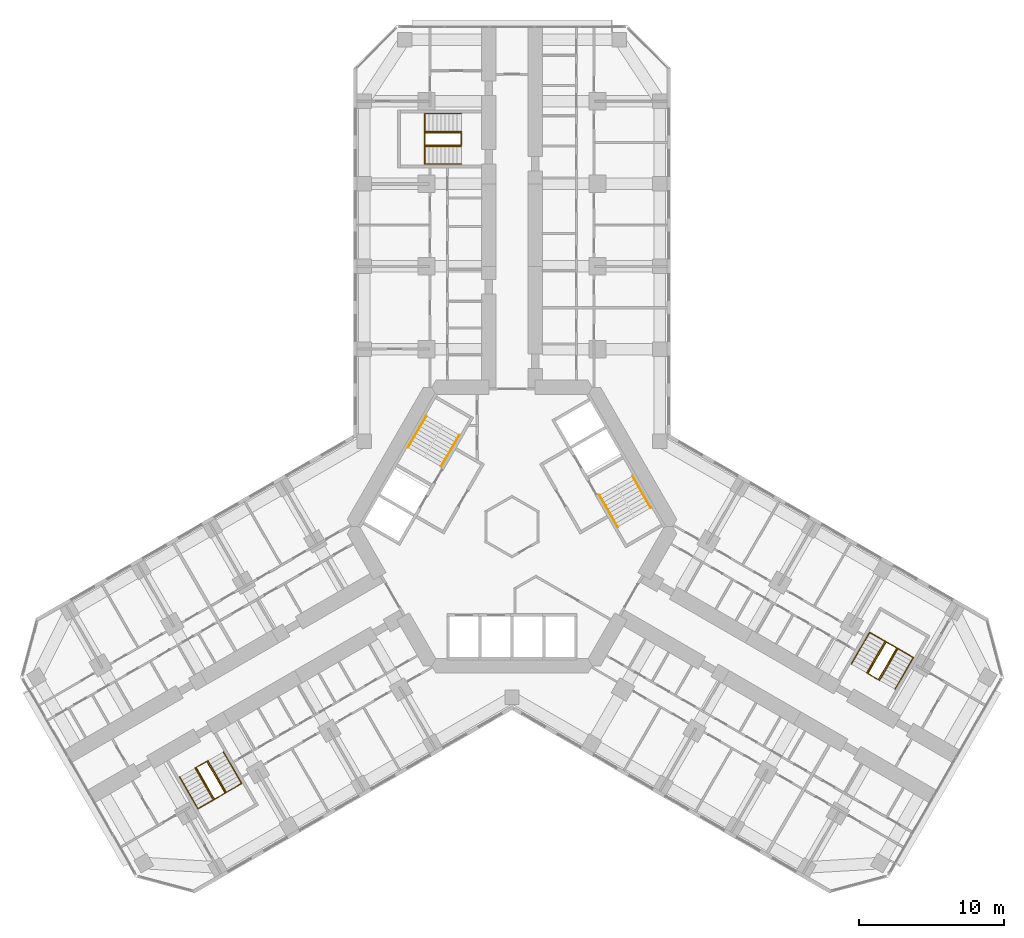
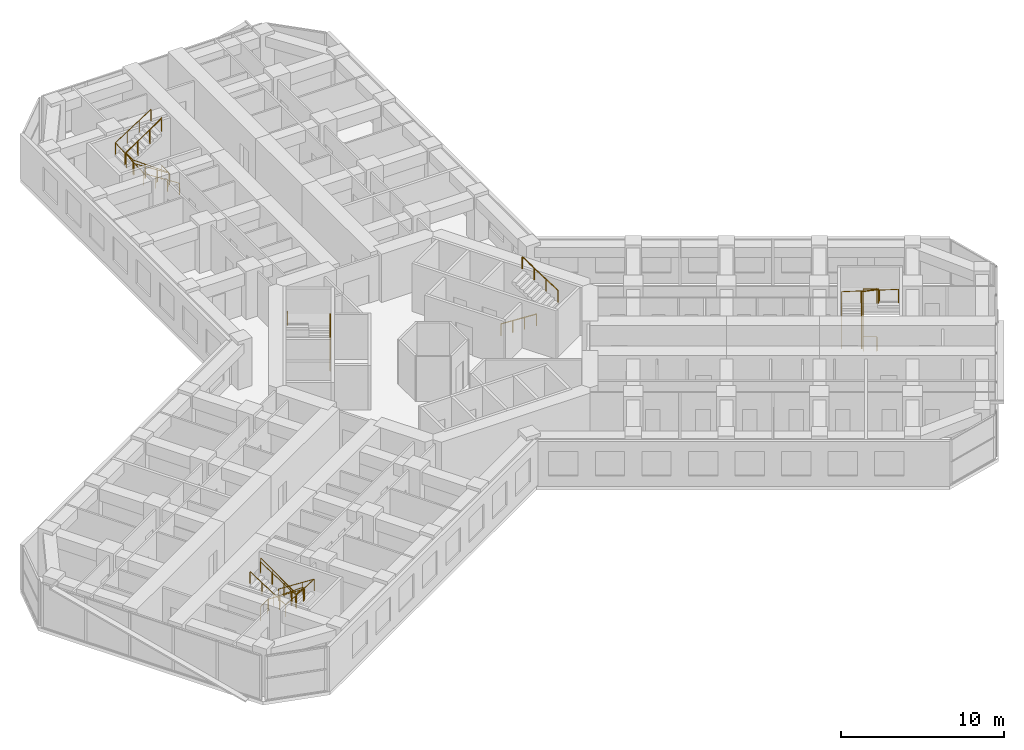
# One storey, part 21 of 21: 13 railings.
"""IFC4 building model written with IfcOpenShell, lengths in metres."""

import ifcopenshell
import ifcopenshell.guid

model = None  # the IFC model being written
_history = None  # IfcOwnerHistory: only IFC2X3 demands one
_inside = {}  # id of a spatial element -> (the spatial element, [elements in it])
_under = {}  # id of a project, library or spatial element -> (it, [spatial elements below it])
_declared = {}  # id of a project -> (the project, [libraries it declares])
_typed = {}  # id of a type object -> (the type object, [elements of that type])
_made_of = {}  # id of a material, layer set ... -> (it, [elements and type objects made of it])


def new_model(schema):
    """Start an empty IFC model of exactly this schema.

    Asked for "IFC4X3", IfcOpenShell would pick the latest addendum, in which some entities
    have other attributes; the version numbers below select the first issue.
    IFC2X3 requires an IfcOwnerHistory on every rooted entity: one is made here for all.
    """
    global model, _history
    if schema == "IFC4X3":
        model = ifcopenshell.file(schema_version=(4, 3, 0, 0))
    else:
        model = ifcopenshell.file(schema=schema)
    _inside.clear()
    _under.clear()
    _declared.clear()
    _typed.clear()
    _made_of.clear()
    _history = None
    if model.schema == "IFC2X3":
        org = make("IfcOrganization", Name="unknown")
        user = make(
            "IfcPersonAndOrganization",
            ThePerson=make("IfcPerson", FamilyName="unknown"),
            TheOrganization=org,
        )
        app = make(
            "IfcApplication",
            ApplicationDeveloper=org,
            Version="unknown",
            ApplicationFullName="unknown",
            ApplicationIdentifier="unknown",
        )
        _history = make(
            "IfcOwnerHistory",
            OwningUser=user,
            OwningApplication=app,
            ChangeAction="ADDED",
            CreationDate=0,
        )
    return model


def make(cls, **values):
    """One entity of the class cls with the attributes given. An attribute that is None is left unset."""
    return model.create_entity(
        cls, **{name: value for name, value in values.items() if value is not None}
    )


def rooted(cls, **values):
    """An entity with a GlobalId (a new one), such as an element, a storey or a relation."""
    return make(cls, GlobalId=ifcopenshell.guid.new(), OwnerHistory=_history, **values)


def si_unit(unit_type, name, prefix=None):
    """IfcSIUnit, for example si_unit("LENGTHUNIT", "METRE", prefix="MILLI")."""
    return make("IfcSIUnit", UnitType=unit_type, Prefix=prefix, Name=name)


def assignment(units):
    """IfcUnitAssignment: the units of a project."""
    return None if units is None else make("IfcUnitAssignment", Units=units)


def point(xyz):
    """IfcCartesianPoint."""
    return None if xyz is None else make("IfcCartesianPoint", Coordinates=xyz)


def direction(xyz):
    """IfcDirection."""
    return None if xyz is None else make("IfcDirection", DirectionRatios=xyz)


def frame(location, z_axis=None, x_axis=None):
    """IfcAxis2Placement3D, a coordinate frame: its origin and axes. An axis left out is left unset."""
    return make(
        "IfcAxis2Placement3D",
        Location=point(location),
        Axis=direction(z_axis),
        RefDirection=direction(x_axis),
    )


def frame_2d(location, x_axis=None):
    """IfcAxis2Placement2D, a coordinate frame in the plane: its origin and x axis."""
    return make(
        "IfcAxis2Placement2D", Location=point(location), RefDirection=direction(x_axis)
    )


def origin():
    """The frame at (0, 0, 0) with its axes left unset."""
    return frame((0.0, 0.0, 0.0))


def origin_2d():
    """The frame at (0, 0) in the plane with its x axis left unset."""
    return frame_2d((0.0, 0.0))


def place(relative_to, where):
    """IfcLocalPlacement: puts the frame where relative to a parent placement (None: the world)."""
    return make(
        "IfcLocalPlacement", PlacementRelTo=relative_to, RelativePlacement=where
    )


def context(
    kind, dimensions, precision=None, world=None, true_north=None, identifier=None
):
    """IfcGeometricRepresentationContext, for example the 3D "Model" context."""
    return make(
        "IfcGeometricRepresentationContext",
        ContextIdentifier=identifier,
        ContextType=kind,
        CoordinateSpaceDimension=dimensions,
        Precision=precision,
        WorldCoordinateSystem=world,
        TrueNorth=true_north,
    )


def subcontext(parent, identifier, kind, view, scale=None):
    """IfcGeometricRepresentationSubContext, for example "Body" below "Model"."""
    return make(
        "IfcGeometricRepresentationSubContext",
        ContextIdentifier=identifier,
        ContextType=kind,
        ParentContext=parent,
        TargetScale=scale,
        TargetView=view,
    )


def project(units=None, contexts=None):
    """IfcProject with its units and contexts."""
    return rooted(
        "IfcProject",
        Name="project",
        RepresentationContexts=contexts,
        UnitsInContext=assignment(units),
    )


def spatial(cls, under=None, at=None, **own):
    """A site, building, storey or space (cls), placed at a placement, below another one or the project."""
    s = rooted(cls, ObjectPlacement=at, **own)
    if under is not None:
        _under.setdefault(under.id(), (under, []))[1].append(s)
    return s


def profile(cls, at=None, kind="AREA", **sizes):
    """A parametric profile (cls). Its sizes go by their IFC names, for example OverallWidth=200.0."""
    return make(cls, ProfileType=kind, Position=at, **sizes)


def circle(**sizes):
    """IfcCircleProfileDef."""
    return profile("IfcCircleProfileDef", **sizes)


def extrude(swept, where, along, depth):
    """IfcExtrudedAreaSolid: the profile swept, set in the frame where, extruded along a direction by depth."""
    return make(
        "IfcExtrudedAreaSolid",
        SweptArea=swept,
        Position=where,
        ExtrudedDirection=direction(along),
        Depth=depth,
    )


def shape(context_of_items, identifier, shape_type, items):
    """IfcShapeRepresentation: the items that make up one representation, for example the "Body"."""
    return make(
        "IfcShapeRepresentation",
        ContextOfItems=context_of_items,
        RepresentationIdentifier=identifier,
        RepresentationType=shape_type,
        Items=items,
    )


def material(Name=None, Category=None):
    """IfcMaterial."""
    return make("IfcMaterial", Name=Name, Category=Category)


def made_of(thing, what):
    """Note that an element or type object is made of a material, layer set ...; save() writes the relation."""
    if what is not None:
        _made_of.setdefault(what.id(), (what, []))[1].append(thing)
    return thing


def type_object(cls, material=None, **own):
    """A type object (cls), such as IfcWallType, which elements share."""
    return made_of(rooted(cls, **own), material)


def element(
    cls,
    number,
    at=None,
    inside=None,
    cuts=None,
    type_object=None,
    material=None,
    context=None,
    identifier="Body",
    shape_type=None,
    held_by="IfcProductDefinitionShape",
    body=None,
    shapes=None,
    **own,
):
    """One element of the class cls, such as IfcWall. Its Tag is "e" and its number.

    at: its placement. inside: the storey or other place that contains it. cuts: it is an
    opening in that element (IfcRelVoidsElement). A single representation is given by context,
    identifier, shape_type and body (its items); several are given by shapes. held_by: the class
    of the entity that holds the representations. save() writes the other relations.
    """
    e = rooted(cls, Tag="e%d" % number, ObjectPlacement=at, **own)
    if body is not None:
        shapes = [shape(context, identifier, shape_type, body)]
    if shapes is not None:
        e.Representation = make(held_by, Representations=shapes)
    if inside is not None:
        _inside.setdefault(inside.id(), (inside, []))[1].append(e)
    if cuts is not None:
        rooted(
            "IfcRelVoidsElement", RelatingBuildingElement=cuts, RelatedOpeningElement=e
        )
    if type_object is not None:
        _typed.setdefault(type_object.id(), (type_object, []))[1].append(e)
    return made_of(e, material)


def aggregate(whole, parts):
    """IfcRelAggregates: a whole, such as a stair, and the parts it consists of."""
    return rooted("IfcRelAggregates", RelatingObject=whole, RelatedObjects=parts)


def save(model, path):
    """Write the relations noted so far, then the file.

    IfcRelAggregates (storeys below a building ...), IfcRelContainedInSpatialStructure (elements
    in a storey), IfcRelDefinesByType, IfcRelAssociatesMaterial and IfcRelDeclares: one each for
    every whole, place, type object, material and project.
    """
    for whole, parts in _under.values():
        aggregate(whole, parts)
    for where, things in _inside.values():
        rooted(
            "IfcRelContainedInSpatialStructure",
            RelatedElements=things,
            RelatingStructure=where,
        )
    for kind, things in _typed.values():
        rooted("IfcRelDefinesByType", RelatedObjects=things, RelatingType=kind)
    for what, things in _made_of.values():
        rooted("IfcRelAssociatesMaterial", RelatedObjects=things, RelatingMaterial=what)
    for by, libraries in _declared.values():
        rooted("IfcRelDeclares", RelatingContext=by, RelatedDefinitions=libraries)
    model.write(path)


model = new_model("IFC4")

# Units and contexts
model_context = context("Model", 3, precision=1e-05, world=origin(), true_north=direction((0.0, 1.0)))
body_context = subcontext(model_context, "Body", "Model", "MODEL_VIEW")
ifc_project = project(units=[si_unit("LENGTHUNIT", "METRE"), si_unit("AREAUNIT", "SQUARE_METRE"), si_unit("VOLUMEUNIT", "CUBIC_METRE"), si_unit("PLANEANGLEUNIT", "RADIAN"), si_unit("MASSUNIT", "GRAM", prefix="KILO")], contexts=[model_context])

# Site, building, storey
site_placement = place(None, origin())
site = spatial("IfcSite", under=ifc_project, at=site_placement, CompositionType="ELEMENT")
building_placement = place(site_placement, origin())
building = spatial("IfcBuilding", under=site, at=building_placement, Name="Kosmar Iwan School Tower", CompositionType="ELEMENT")
storey_placement = place(building_placement, frame((0.0, 0.0, 64.60009765625)))
storey = spatial("IfcBuildingStorey", under=building, at=storey_placement, Name="L15", CompositionType="ELEMENT", Elevation=64.60009765625)

# Railings
ifc_material_1 = material(Name="Black steel", Category="steel")
railing_type_1 = type_object("IfcRailingType", Name="Stair handrail 900", PredefinedType="HANDRAIL", material=ifc_material_1)
railing_1_placement = place(storey_placement, frame((-4.89453125, 4.142333984375, 0.179931640625)))
element("IfcRailing", 1, at=railing_1_placement, inside=storey, type_object=railing_type_1, Name="Handrail ST2 flight 1", PredefinedType="HANDRAIL", context=body_context, shape_type="SweptSolid", body=[
    extrude(circle(Radius=0.02392578125, at=origin_2d()), frame((0.0, 0.0, 0.8759765625), z_axis=(0.42060268101, 0.72849590497, 0.54072830624), x_axis=(-0.866022637375, 0.500004791531, 0.0)), (0.0, 0.0, 1.0), 2.99560546875),
    extrude(circle(Radius=0.02099609375, at=origin_2d()), origin(), (0.0, 0.0, 1.0), 0.851806640625),
    extrude(circle(Radius=0.02099609375, at=origin_2d()), frame((0.419921875, 0.7275390625, 0.5400390625)), (0.0, 0.0, 1.0), 0.851806640625),
    extrude(circle(Radius=0.02099609375, at=origin_2d()), frame((0.840087890625, 1.454833984375, 1.079833984375)), (0.0, 0.0, 1.0), 0.851806640625),
    extrude(circle(Radius=0.02099609375, at=origin_2d()), frame((1.260009765625, 2.182373046875, 1.619873046875)), (0.0, 0.0, 1.0), 0.851806640625),
])
railing_2_placement = place(storey_placement, frame((-5.912353515625, 7.6396484375, 1.97998046875)))
element("IfcRailing", 2, at=railing_2_placement, inside=storey, type_object=railing_type_1, Name="Handrail ST2 flight 2", PredefinedType="HANDRAIL", context=body_context, shape_type="SweptSolid", body=[
    extrude(circle(Radius=0.02392578125, at=origin_2d()), frame((0.0, 0.0, 0.8759765625), z_axis=(-0.42060268101, -0.72849590497, 0.54072830624), x_axis=(0.866022637375, -0.500004791531, 0.0)), (0.0, 0.0, 1.0), 2.99560546875),
    extrude(circle(Radius=0.02099609375, at=origin_2d()), origin(), (0.0, 0.0, 1.0), 0.851806640625),
    extrude(circle(Radius=0.02099609375, at=origin_2d()), frame((-0.419921875, -0.7275390625, 0.5400390625)), (0.0, 0.0, 1.0), 0.851806640625),
    extrude(circle(Radius=0.02099609375, at=origin_2d()), frame((-0.840087890625, -1.454833984375, 1.079833984375)), (0.0, 0.0, 1.0), 0.851806640625),
    extrude(circle(Radius=0.02099609375, at=origin_2d()), frame((-1.260009765625, -2.182373046875, 1.619873046875)), (0.0, 0.0, 1.0), 0.851806640625),
])
railing_3_placement = place(storey_placement, frame((6.03466796875, 2.167724609375, 0.179931640625)))
element("IfcRailing", 3, at=railing_3_placement, inside=storey, type_object=railing_type_1, Name="Handrail ST1 flight 1", PredefinedType="HANDRAIL", context=body_context, shape_type="SweptSolid", body=[
    extrude(circle(Radius=0.02392578125, at=origin_2d()), frame((0.0, 0.0, 0.8759765625), z_axis=(0.42060268101, -0.72849590497, 0.54072830624), x_axis=(0.866022637375, 0.500004791531, 0.0)), (0.0, 0.0, 1.0), 2.99560546875),
    extrude(circle(Radius=0.02099609375, at=origin_2d()), origin(), (0.0, 0.0, 1.0), 0.851806640625),
    extrude(circle(Radius=0.02099609375, at=origin_2d()), frame((0.419921875, -0.7275390625, 0.5400390625)), (0.0, 0.0, 1.0), 0.851806640625),
    extrude(circle(Radius=0.02099609375, at=origin_2d()), frame((0.840087890625, -1.454833984375, 1.079833984375)), (0.0, 0.0, 1.0), 0.851806640625),
    extrude(circle(Radius=0.02099609375, at=origin_2d()), frame((1.260009765625, -2.182373046875, 1.619873046875)), (0.0, 0.0, 1.0), 0.851806640625),
])
railing_4_placement = place(storey_placement, frame((9.572265625, 1.30029296875, 1.97998046875)))
element("IfcRailing", 4, at=railing_4_placement, inside=storey, type_object=railing_type_1, Name="Handrail ST1 flight 2", PredefinedType="HANDRAIL", context=body_context, shape_type="SweptSolid", body=[
    extrude(circle(Radius=0.02392578125, at=origin_2d()), frame((0.0, 0.0, 0.8759765625), z_axis=(-0.42060268101, 0.72849590497, 0.54072830624), x_axis=(-0.866022637375, -0.500004791531, 0.0)), (0.0, 0.0, 1.0), 2.99560546875),
    extrude(circle(Radius=0.02099609375, at=origin_2d()), origin(), (0.0, 0.0, 1.0), 0.851806640625),
    extrude(circle(Radius=0.02099609375, at=origin_2d()), frame((-0.419921875, 0.7275390625, 0.5400390625)), (0.0, 0.0, 1.0), 0.851806640625),
    extrude(circle(Radius=0.02099609375, at=origin_2d()), frame((-0.840087890625, 1.454833984375, 1.079833984375)), (0.0, 0.0, 1.0), 0.851806640625),
    extrude(circle(Radius=0.02099609375, at=origin_2d()), frame((-1.260009765625, 2.182373046875, 1.619873046875)), (0.0, 0.0, 1.0), 0.851806640625),
])
railing_5_placement = place(storey_placement, frame((-3.5, 25.010009765625, 0.179931640625)))
element("IfcRailing", 5, at=railing_5_placement, inside=storey, type_object=railing_type_1, Name="Handrail stair WS1 L15 wall side", PredefinedType="HANDRAIL", context=body_context, shape_type="SweptSolid", body=[
    extrude(circle(Radius=0.02392578125, at=origin_2d()), frame((0.0, 0.0, 0.8759765625), z_axis=(-0.841199657755, 0.0, 0.540724639528), x_axis=(0.0, -1.0, 0.0)), (0.0, 0.0, 1.0), 2.995849609375),
    extrude(circle(Radius=0.02392578125, at=origin_2d()), frame((-2.52001953125, 0.0, 2.49560546875), z_axis=(0.0, 0.998662366465, 0.051705684471), x_axis=(-1.0, 0.0, 0.0)), (0.0, 0.0, 1.0), 3.484619140625),
    extrude(circle(Radius=0.02392578125, at=origin_2d()), frame((-2.52001953125, 3.47998046875, 2.67578125), z_axis=(0.841199657755, 0.0, 0.540724639528), x_axis=(0.0, 1.0, 0.0)), (0.0, 0.0, 1.0), 2.995849609375),
    extrude(circle(Radius=0.02099609375, at=origin_2d()), origin(), (0.0, 0.0, 1.0), 0.851806640625),
    extrude(circle(Radius=0.02099609375, at=origin_2d()), frame((-0.840087890625, 0.0, 0.5400390625)), (0.0, 0.0, 1.0), 0.851806640625),
    extrude(circle(Radius=0.02099609375, at=origin_2d()), frame((-1.679931640625, 0.0, 1.079833984375)), (0.0, 0.0, 1.0), 0.851806640625),
    extrude(circle(Radius=0.02099609375, at=origin_2d()), frame((-2.52001953125, 0.0, 1.619873046875)), (0.0, 0.0, 1.0), 0.851806640625),
    extrude(circle(Radius=0.02099609375, at=origin_2d()), frame((-2.52001953125, 1.159912109375, 1.679931640625)), (0.0, 0.0, 1.0), 0.851806640625),
    extrude(circle(Radius=0.02099609375, at=origin_2d()), frame((-2.52001953125, 2.320068359375, 1.739990234375)), (0.0, 0.0, 1.0), 0.851806640625),
    extrude(circle(Radius=0.02099609375, at=origin_2d()), frame((-2.52001953125, 3.47998046875, 1.800048828125)), (0.0, 0.0, 1.0), 0.851806640625),
    extrude(circle(Radius=0.02099609375, at=origin_2d()), frame((-1.679931640625, 3.47998046875, 2.340087890625)), (0.0, 0.0, 1.0), 0.851806640625),
    extrude(circle(Radius=0.02099609375, at=origin_2d()), frame((-0.840087890625, 3.47998046875, 2.8798828125)), (0.0, 0.0, 1.0), 0.851806640625),
    extrude(circle(Radius=0.02099609375, at=origin_2d()), frame((0.0, 3.47998046875, 3.419921875)), (0.0, 0.0, 1.0), 0.851806640625),
])
railing_6_placement = place(storey_placement, frame((-3.5, 26.239990234375, 0.179931640625)))
element("IfcRailing", 6, at=railing_6_placement, inside=storey, type_object=railing_type_1, Name="Handrail stair WS1 L15 well side", PredefinedType="HANDRAIL", context=body_context, shape_type="SweptSolid", body=[
    extrude(circle(Radius=0.02392578125, at=origin_2d()), frame((0.0, 0.0, 0.8759765625), z_axis=(-0.841199657755, 0.0, 0.540724639528), x_axis=(0.0, -1.0, 0.0)), (0.0, 0.0, 1.0), 2.995849609375),
    extrude(circle(Radius=0.02392578125, at=origin_2d()), frame((-2.52001953125, 0.0, 2.49560546875), z_axis=(0.0, 0.98475507176, 0.173946683332), x_axis=(-1.0, 0.0, 0.0)), (0.0, 0.0, 1.0), 1.035888671875),
    extrude(circle(Radius=0.02392578125, at=origin_2d()), frame((-2.52001953125, 1.02001953125, 2.67578125), z_axis=(0.841199657755, 0.0, 0.540724639528), x_axis=(0.0, 1.0, 0.0)), (0.0, 0.0, 1.0), 2.995849609375),
    extrude(circle(Radius=0.02099609375, at=origin_2d()), origin(), (0.0, 0.0, 1.0), 0.851806640625),
    extrude(circle(Radius=0.02099609375, at=origin_2d()), frame((-0.840087890625, 0.0, 0.5400390625)), (0.0, 0.0, 1.0), 0.851806640625),
    extrude(circle(Radius=0.02099609375, at=origin_2d()), frame((-1.679931640625, 0.0, 1.079833984375)), (0.0, 0.0, 1.0), 0.851806640625),
    extrude(circle(Radius=0.02099609375, at=origin_2d()), frame((-2.52001953125, 0.0, 1.619873046875)), (0.0, 0.0, 1.0), 0.851806640625),
    extrude(circle(Radius=0.02099609375, at=origin_2d()), frame((-2.52001953125, 1.02001953125, 1.800048828125)), (0.0, 0.0, 1.0), 0.851806640625),
    extrude(circle(Radius=0.02099609375, at=origin_2d()), frame((-1.679931640625, 1.02001953125, 2.340087890625)), (0.0, 0.0, 1.0), 0.851806640625),
    extrude(circle(Radius=0.02099609375, at=origin_2d()), frame((-0.840087890625, 1.02001953125, 2.8798828125)), (0.0, 0.0, 1.0), 0.851806640625),
    extrude(circle(Radius=0.02099609375, at=origin_2d()), frame((0.0, 1.02001953125, 3.419921875)), (0.0, 0.0, 1.0), 0.851806640625),
])
railing_7_placement = place(storey_placement, frame((-19.9091796875, -15.5361328125, 0.179931640625)))
element("IfcRailing", 7, at=railing_7_placement, inside=storey, type_object=railing_type_1, Name="Handrail stair WS2 L15 wall side", PredefinedType="HANDRAIL", context=body_context, shape_type="SweptSolid", body=[
    extrude(circle(Radius=0.02392578125, at=origin_2d()), frame((0.0, 0.0, 0.8759765625), z_axis=(0.420535598452, -0.728520874915, 0.540746840257), x_axis=(0.866064587494, 0.499932125682, 0.0)), (0.0, 0.0, 1.0), 2.99560546875),
    extrude(circle(Radius=0.02392578125, at=origin_2d()), frame((1.259765625, -2.182373046875, 2.49560546875), z_axis=(-0.864861221286, -0.499341050235, 0.051706706198), x_axis=(0.500009906705, -0.86601968407, 0.0)), (0.0, 0.0, 1.0), 3.484619140625),
    extrude(circle(Radius=0.02392578125, at=origin_2d()), frame((-1.75390625, -3.92236328125, 2.67578125), z_axis=(-0.42060268101, 0.72849590497, 0.54072830624), x_axis=(-0.866022637375, -0.500004791531, 0.0)), (0.0, 0.0, 1.0), 2.99560546875),
    extrude(circle(Radius=0.02099609375, at=origin_2d()), origin(), (0.0, 0.0, 1.0), 0.851806640625),
    extrude(circle(Radius=0.02099609375, at=origin_2d()), frame((0.419921875, -0.7275390625, 0.5400390625)), (0.0, 0.0, 1.0), 0.851806640625),
    extrude(circle(Radius=0.02099609375, at=origin_2d()), frame((0.83984375, -1.454833984375, 1.079833984375)), (0.0, 0.0, 1.0), 0.851806640625),
    extrude(circle(Radius=0.02099609375, at=origin_2d()), frame((1.259765625, -2.182373046875, 1.619873046875)), (0.0, 0.0, 1.0), 0.851806640625),
    extrude(circle(Radius=0.02099609375, at=origin_2d()), frame((0.255126953125, -2.762451171875, 1.679931640625)), (0.0, 0.0, 1.0), 0.851806640625),
    extrude(circle(Radius=0.02099609375, at=origin_2d()), frame((-0.749267578125, -3.34228515625, 1.739990234375)), (0.0, 0.0, 1.0), 0.851806640625),
    extrude(circle(Radius=0.02099609375, at=origin_2d()), frame((-1.75390625, -3.92236328125, 1.800048828125)), (0.0, 0.0, 1.0), 0.851806640625),
    extrude(circle(Radius=0.02099609375, at=origin_2d()), frame((-2.173828125, -3.19482421875, 2.340087890625)), (0.0, 0.0, 1.0), 0.851806640625),
    extrude(circle(Radius=0.02099609375, at=origin_2d()), frame((-2.593994140625, -2.467529296875, 2.8798828125)), (0.0, 0.0, 1.0), 0.851806640625),
    extrude(circle(Radius=0.02099609375, at=origin_2d()), frame((-3.013916015625, -1.739990234375, 3.419921875)), (0.0, 0.0, 1.0), 0.851806640625),
])
railing_8_placement = place(storey_placement, frame((-20.974609375, -16.151123046875, 0.179931640625)))
element("IfcRailing", 8, at=railing_8_placement, inside=storey, type_object=railing_type_1, Name="Handrail stair WS2 L15 well side", PredefinedType="HANDRAIL", context=body_context, shape_type="SweptSolid", body=[
    extrude(circle(Radius=0.02392578125, at=origin_2d()), frame((0.0, 0.0, 0.8759765625), z_axis=(0.42060268101, -0.72849590497, 0.54072830624), x_axis=(0.866022637375, 0.500004791531, 0.0)), (0.0, 0.0, 1.0), 2.99560546875),
    extrude(circle(Radius=0.02392578125, at=origin_2d()), frame((1.260009765625, -2.182373046875, 2.49560546875), z_axis=(-0.852806573049, -0.492402689635, 0.173955569627), x_axis=(0.500026340207, -0.866010195725, 0.0)), (0.0, 0.0, 1.0), 1.03564453125),
    extrude(circle(Radius=0.02392578125, at=origin_2d()), frame((0.376708984375, -2.6923828125, 2.67578125), z_axis=(-0.42060268101, 0.72849590497, 0.54072830624), x_axis=(-0.866022637375, -0.500004791531, 0.0)), (0.0, 0.0, 1.0), 2.99560546875),
    extrude(circle(Radius=0.02099609375, at=origin_2d()), origin(), (0.0, 0.0, 1.0), 0.851806640625),
    extrude(circle(Radius=0.02099609375, at=origin_2d()), frame((0.419921875, -0.7275390625, 0.5400390625)), (0.0, 0.0, 1.0), 0.851806640625),
    extrude(circle(Radius=0.02099609375, at=origin_2d()), frame((0.840087890625, -1.454833984375, 1.079833984375)), (0.0, 0.0, 1.0), 0.851806640625),
    extrude(circle(Radius=0.02099609375, at=origin_2d()), frame((1.260009765625, -2.182373046875, 1.619873046875)), (0.0, 0.0, 1.0), 0.851806640625),
    extrude(circle(Radius=0.02099609375, at=origin_2d()), frame((0.376708984375, -2.6923828125, 1.800048828125)), (0.0, 0.0, 1.0), 0.851806640625),
    extrude(circle(Radius=0.02099609375, at=origin_2d()), frame((-0.043212890625, -1.96484375, 2.340087890625)), (0.0, 0.0, 1.0), 0.851806640625),
    extrude(circle(Radius=0.02099609375, at=origin_2d()), frame((-0.46337890625, -1.237548828125, 2.8798828125)), (0.0, 0.0, 1.0), 0.851806640625),
    extrude(circle(Radius=0.02099609375, at=origin_2d()), frame((-0.88330078125, -0.510009765625, 3.419921875)), (0.0, 0.0, 1.0), 0.851806640625),
])
railing_9_placement = place(storey_placement, frame((23.4091796875, -9.473876953125, 0.179931640625)))
element("IfcRailing", 9, at=railing_9_placement, inside=storey, type_object=railing_type_1, Name="Handrail stair WS3 L15 wall side", PredefinedType="HANDRAIL", context=body_context, shape_type="SweptSolid", body=[
    extrude(circle(Radius=0.02392578125, at=origin_2d()), frame((0.0, 0.0, 0.8759765625), z_axis=(0.42060268101, 0.72849590497, 0.54072830624), x_axis=(-0.866022637375, 0.500004791531, 0.0)), (0.0, 0.0, 1.0), 2.99560546875),
    extrude(circle(Radius=0.02392578125, at=origin_2d()), frame((1.260009765625, 2.182373046875, 2.49560546875), z_axis=(0.864878876685, -0.499310794179, 0.051703573187), x_axis=(0.499979528911, 0.866037222451, 0.0)), (0.0, 0.0, 1.0), 3.48486328125),
    extrude(circle(Radius=0.02392578125, at=origin_2d()), frame((4.27392578125, 0.4423828125, 2.67578125), z_axis=(-0.42060268101, -0.72849590497, 0.54072830624), x_axis=(0.866022637375, -0.500004791531, 0.0)), (0.0, 0.0, 1.0), 2.99560546875),
    extrude(circle(Radius=0.02099609375, at=origin_2d()), origin(), (0.0, 0.0, 1.0), 0.851806640625),
    extrude(circle(Radius=0.02099609375, at=origin_2d()), frame((0.419921875, 0.7275390625, 0.5400390625)), (0.0, 0.0, 1.0), 0.851806640625),
    extrude(circle(Radius=0.02099609375, at=origin_2d()), frame((0.840087890625, 1.454833984375, 1.079833984375)), (0.0, 0.0, 1.0), 0.851806640625),
    extrude(circle(Radius=0.02099609375, at=origin_2d()), frame((1.260009765625, 2.182373046875, 1.619873046875)), (0.0, 0.0, 1.0), 0.851806640625),
    extrude(circle(Radius=0.02099609375, at=origin_2d()), frame((2.2646484375, 1.602294921875, 1.679931640625)), (0.0, 0.0, 1.0), 0.851806640625),
    extrude(circle(Radius=0.02099609375, at=origin_2d()), frame((3.269287109375, 1.0224609375, 1.739990234375)), (0.0, 0.0, 1.0), 0.851806640625),
    extrude(circle(Radius=0.02099609375, at=origin_2d()), frame((4.27392578125, 0.4423828125, 1.800048828125)), (0.0, 0.0, 1.0), 0.851806640625),
    extrude(circle(Radius=0.02099609375, at=origin_2d()), frame((3.85400390625, -0.28515625, 2.340087890625)), (0.0, 0.0, 1.0), 0.851806640625),
    extrude(circle(Radius=0.02099609375, at=origin_2d()), frame((3.433837890625, -1.012451171875, 2.8798828125)), (0.0, 0.0, 1.0), 0.851806640625),
    extrude(circle(Radius=0.02099609375, at=origin_2d()), frame((3.013916015625, -1.739990234375, 3.419921875)), (0.0, 0.0, 1.0), 0.851806640625),
])
railing_10_placement = place(storey_placement, frame((24.474609375, -10.0888671875, 0.179931640625)))
element("IfcRailing", 10, at=railing_10_placement, inside=storey, type_object=railing_type_1, Name="Handrail stair WS3 L15 well side", PredefinedType="HANDRAIL", context=body_context, shape_type="SweptSolid", body=[
    extrude(circle(Radius=0.02392578125, at=origin_2d()), frame((0.0, 0.0, 0.8759765625), z_axis=(0.42060268101, 0.72849590497, 0.54072830624), x_axis=(-0.866022637375, 0.500004791531, 0.0)), (0.0, 0.0, 1.0), 2.99560546875),
    extrude(circle(Radius=0.02392578125, at=origin_2d()), frame((1.260009765625, 2.182373046875, 2.49560546875), z_axis=(0.852806573049, -0.492402689635, 0.173955569627), x_axis=(0.500026340207, 0.866010195725, 0.0)), (0.0, 0.0, 1.0), 1.03564453125),
    extrude(circle(Radius=0.02392578125, at=origin_2d()), frame((2.143310546875, 1.67236328125, 2.67578125), z_axis=(-0.42060268101, -0.72849590497, 0.54072830624), x_axis=(0.866022637375, -0.500004791531, 0.0)), (0.0, 0.0, 1.0), 2.99560546875),
    extrude(circle(Radius=0.02099609375, at=origin_2d()), origin(), (0.0, 0.0, 1.0), 0.851806640625),
    extrude(circle(Radius=0.02099609375, at=origin_2d()), frame((0.419921875, 0.7275390625, 0.5400390625)), (0.0, 0.0, 1.0), 0.851806640625),
    extrude(circle(Radius=0.02099609375, at=origin_2d()), frame((0.840087890625, 1.454833984375, 1.079833984375)), (0.0, 0.0, 1.0), 0.851806640625),
    extrude(circle(Radius=0.02099609375, at=origin_2d()), frame((1.260009765625, 2.182373046875, 1.619873046875)), (0.0, 0.0, 1.0), 0.851806640625),
    extrude(circle(Radius=0.02099609375, at=origin_2d()), frame((2.143310546875, 1.67236328125, 1.800048828125)), (0.0, 0.0, 1.0), 0.851806640625),
    extrude(circle(Radius=0.02099609375, at=origin_2d()), frame((1.723388671875, 0.94482421875, 2.340087890625)), (0.0, 0.0, 1.0), 0.851806640625),
    extrude(circle(Radius=0.02099609375, at=origin_2d()), frame((1.30322265625, 0.217529296875, 2.8798828125)), (0.0, 0.0, 1.0), 0.851806640625),
    extrude(circle(Radius=0.02099609375, at=origin_2d()), frame((0.88330078125, -0.510009765625, 3.419921875)), (0.0, 0.0, 1.0), 0.851806640625),
])
ifc_material_2 = material(Name="Black steel", Category="steel")
railing_type_2 = type_object("IfcRailingType", Name="Stair well guard 1100", PredefinedType="GUARDRAIL", material=ifc_material_2)
railing_11_placement = place(storey_placement, frame((-3.5, 27.169921875, 0.0)))
element("IfcRailing", 11, at=railing_11_placement, inside=storey, type_object=railing_type_2, Name="Stair WS1 L15 well guard", PredefinedType="GUARDRAIL", context=body_context, shape_type="SweptSolid", body=[
    extrude(circle(Radius=0.02392578125, at=origin_2d()), frame((0.0, 0.0, 1.076171875), z_axis=(0.0, -1.0, 0.0), x_axis=(1.0, 0.0, 0.0)), (0.0, 0.0, 1.0), 0.83984375),
    extrude(circle(Radius=0.02392578125, at=origin_2d()), frame((0.0, -0.83984375, 1.076171875), z_axis=(-0.813765431312, 0.0, 0.581193446971), x_axis=(0.0, -1.0, 0.0)), (0.0, 0.0, 1.0), 3.0966796875),
    extrude(circle(Radius=0.02392578125, at=origin_2d()), frame((-2.52001953125, -0.83984375, 2.8759765625), z_axis=(0.0, 1.0, 0.0), x_axis=(-1.0, 0.0, 0.0)), (0.0, 0.0, 1.0), 0.83984375),
    extrude(circle(Radius=0.02392578125, at=origin_2d()), frame((-2.52001953125, 0.0, 2.8759765625), z_axis=(0.813728144527, 0.0, 0.581245650998), x_axis=(0.0, 1.0, 0.0)), (0.0, 0.0, 1.0), 3.096923828125),
    extrude(circle(Radius=0.02099609375, at=origin_2d()), origin(), (0.0, 0.0, 1.0), 1.052001953125),
    extrude(circle(Radius=0.02099609375, at=origin_2d()), frame((0.0, -0.83984375, 0.0)), (0.0, 0.0, 1.0), 1.052001953125),
    extrude(circle(Radius=0.02099609375, at=origin_2d()), frame((-0.840087890625, -0.83984375, 0.599853515625)), (0.0, 0.0, 1.0), 1.052001953125),
    extrude(circle(Radius=0.02099609375, at=origin_2d()), frame((-1.679931640625, -0.83984375, 1.199951171875)), (0.0, 0.0, 1.0), 1.052001953125),
    extrude(circle(Radius=0.02099609375, at=origin_2d()), frame((-2.52001953125, -0.83984375, 1.7998046875)), (0.0, 0.0, 1.0), 1.052001953125),
    extrude(circle(Radius=0.02099609375, at=origin_2d()), frame((-2.52001953125, 0.0, 1.7998046875)), (0.0, 0.0, 1.0), 1.052001953125),
    extrude(circle(Radius=0.02099609375, at=origin_2d()), frame((-1.679931640625, 0.0, 2.39990234375)), (0.0, 0.0, 1.0), 1.052001953125),
    extrude(circle(Radius=0.02099609375, at=origin_2d()), frame((-0.840087890625, 0.0, 2.999755859375)), (0.0, 0.0, 1.0), 1.052001953125),
    extrude(circle(Radius=0.02099609375, at=origin_2d()), frame((0.0, 0.0, 3.599853515625)), (0.0, 0.0, 1.0), 1.052001953125),
])
railing_12_placement = place(storey_placement, frame((-21.780029296875, -16.6162109375, 0.0)))
element("IfcRailing", 12, at=railing_12_placement, inside=storey, type_object=railing_type_2, Name="Stair WS2 L15 well guard", PredefinedType="GUARDRAIL", context=body_context, shape_type="SweptSolid", body=[
    extrude(circle(Radius=0.02392578125, at=origin_2d()), frame((0.0, 0.0, 1.076171875), z_axis=(0.865962960534, 0.500108139288, 0.0), x_axis=(-0.500108139288, 0.865962960534, 0.0)), (0.0, 0.0, 1.0), 0.840087890625),
    extrude(circle(Radius=0.02392578125, at=origin_2d()), frame((0.7275390625, 0.420166015625, 1.076171875), z_axis=(0.406885297737, -0.704737003773, 0.581197135229), x_axis=(0.866022637375, 0.500004791531, 0.0)), (0.0, 0.0, 1.0), 3.0966796875),
    extrude(circle(Radius=0.02392578125, at=origin_2d()), frame((1.987548828125, -1.76220703125, 2.8759765625), z_axis=(-0.865962960534, -0.500108139288, 0.0), x_axis=(0.500108139288, -0.865962960534, 0.0)), (0.0, 0.0, 1.0), 0.840087890625),
    extrude(circle(Radius=0.02392578125, at=origin_2d()), frame((1.260009765625, -2.182373046875, 2.8759765625), z_axis=(-0.40686665399, 0.704704712268, 0.58124933925), x_axis=(-0.866022637375, -0.500004791531, 0.0)), (0.0, 0.0, 1.0), 3.096923828125),
    extrude(circle(Radius=0.02099609375, at=origin_2d()), origin(), (0.0, 0.0, 1.0), 1.052001953125),
    extrude(circle(Radius=0.02099609375, at=origin_2d()), frame((0.7275390625, 0.420166015625, 0.0)), (0.0, 0.0, 1.0), 1.052001953125),
    extrude(circle(Radius=0.02099609375, at=origin_2d()), frame((1.1474609375, -0.307373046875, 0.599853515625)), (0.0, 0.0, 1.0), 1.052001953125),
    extrude(circle(Radius=0.02099609375, at=origin_2d()), frame((1.567626953125, -1.03466796875, 1.199951171875)), (0.0, 0.0, 1.0), 1.052001953125),
    extrude(circle(Radius=0.02099609375, at=origin_2d()), frame((1.987548828125, -1.76220703125, 1.7998046875)), (0.0, 0.0, 1.0), 1.052001953125),
    extrude(circle(Radius=0.02099609375, at=origin_2d()), frame((1.260009765625, -2.182373046875, 1.7998046875)), (0.0, 0.0, 1.0), 1.052001953125),
    extrude(circle(Radius=0.02099609375, at=origin_2d()), frame((0.840087890625, -1.454833984375, 2.39990234375)), (0.0, 0.0, 1.0), 1.052001953125),
    extrude(circle(Radius=0.02099609375, at=origin_2d()), frame((0.419921875, -0.7275390625, 2.999755859375)), (0.0, 0.0, 1.0), 1.052001953125),
    extrude(circle(Radius=0.02099609375, at=origin_2d()), frame((0.0, 0.0, 3.599853515625)), (0.0, 0.0, 1.0), 1.052001953125),
])
railing_13_placement = place(storey_placement, frame((25.280029296875, -10.553955078125, 0.0)))
element("IfcRailing", 13, at=railing_13_placement, inside=storey, type_object=railing_type_2, Name="Stair WS3 L15 well guard", PredefinedType="GUARDRAIL", context=body_context, shape_type="SweptSolid", body=[
    extrude(circle(Radius=0.02392578125, at=origin_2d()), frame((0.0, 0.0, 1.076171875), z_axis=(-0.865962960534, 0.500108139288, 0.0), x_axis=(-0.500108139288, -0.865962960534, 0.0)), (0.0, 0.0, 1.0), 0.840087890625),
    extrude(circle(Radius=0.02392578125, at=origin_2d()), frame((-0.7275390625, 0.420166015625, 1.076171875), z_axis=(0.406885297737, 0.704737003773, 0.581197135229), x_axis=(-0.866022637375, 0.500004791531, 0.0)), (0.0, 0.0, 1.0), 3.0966796875),
    extrude(circle(Radius=0.02392578125, at=origin_2d()), frame((0.532470703125, 2.6025390625, 2.8759765625), z_axis=(0.865890253765, -0.500234013672, 0.0), x_axis=(0.500234013672, 0.865890253765, 0.0)), (0.0, 0.0, 1.0), 0.83984375),
    extrude(circle(Radius=0.02392578125, at=origin_2d()), frame((1.259765625, 2.182373046875, 2.8759765625), z_axis=(-0.406800866334, -0.70472731476, 0.58126798207), x_axis=(0.866064587494, -0.499932125682, 0.0)), (0.0, 0.0, 1.0), 3.0966796875),
    extrude(circle(Radius=0.02099609375, at=origin_2d()), origin(), (0.0, 0.0, 1.0), 1.052001953125),
    extrude(circle(Radius=0.02099609375, at=origin_2d()), frame((-0.7275390625, 0.420166015625, 0.0)), (0.0, 0.0, 1.0), 1.052001953125),
    extrude(circle(Radius=0.02099609375, at=origin_2d()), frame((-0.3076171875, 1.147705078125, 0.599853515625)), (0.0, 0.0, 1.0), 1.052001953125),
    extrude(circle(Radius=0.02099609375, at=origin_2d()), frame((0.112548828125, 1.875, 1.199951171875)), (0.0, 0.0, 1.0), 1.052001953125),
    extrude(circle(Radius=0.02099609375, at=origin_2d()), frame((0.532470703125, 2.6025390625, 1.7998046875)), (0.0, 0.0, 1.0), 1.052001953125),
    extrude(circle(Radius=0.02099609375, at=origin_2d()), frame((1.259765625, 2.182373046875, 1.7998046875)), (0.0, 0.0, 1.0), 1.052001953125),
    extrude(circle(Radius=0.02099609375, at=origin_2d()), frame((0.83984375, 1.454833984375, 2.39990234375)), (0.0, 0.0, 1.0), 1.052001953125),
    extrude(circle(Radius=0.02099609375, at=origin_2d()), frame((0.419921875, 0.7275390625, 2.999755859375)), (0.0, 0.0, 1.0), 1.052001953125),
    extrude(circle(Radius=0.02099609375, at=origin_2d()), frame((0.0, 0.0, 3.599853515625)), (0.0, 0.0, 1.0), 1.052001953125),
])

save(model, "model.ifc")
